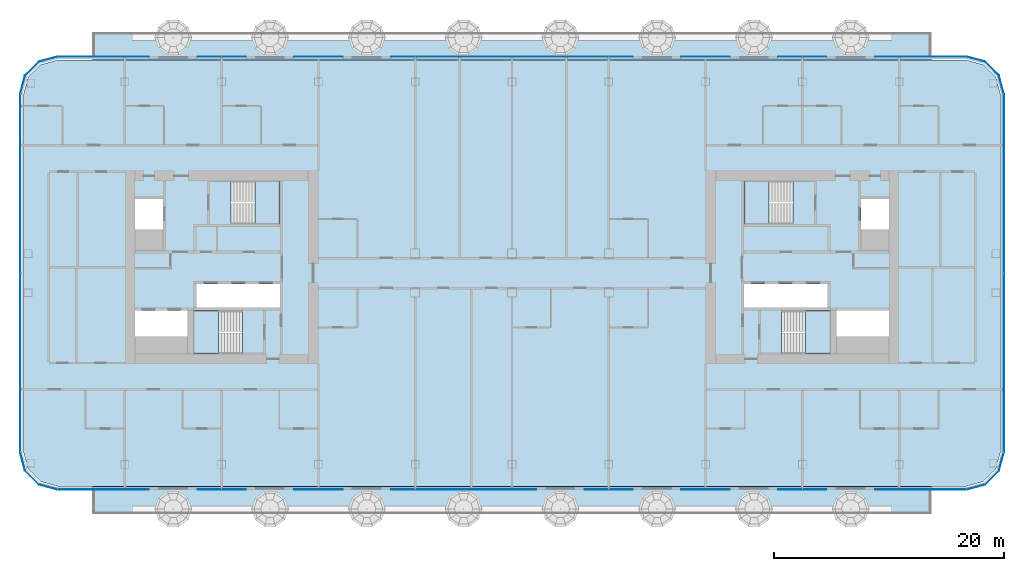
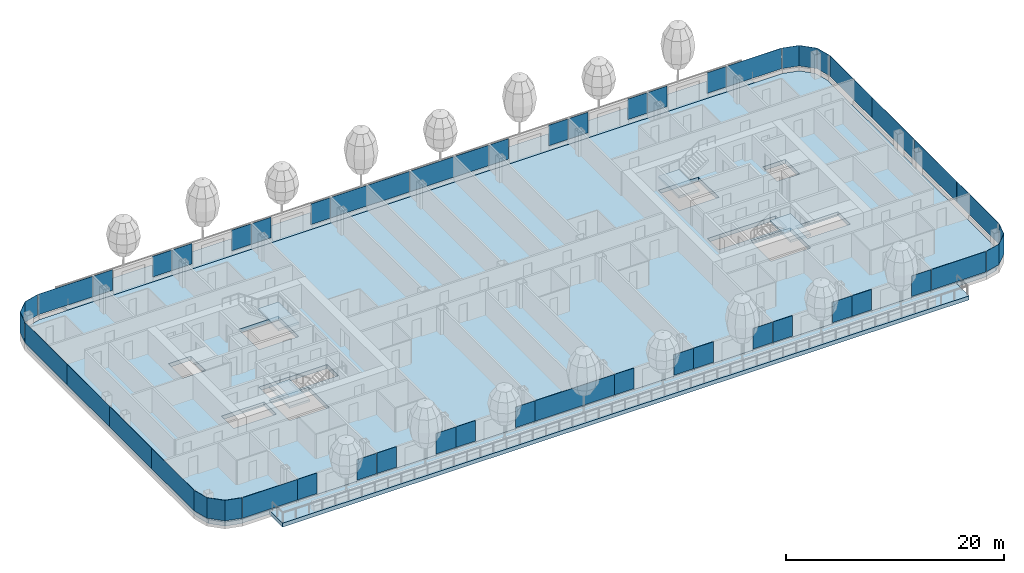
# One storey, part 9 of 29: 45 plates, 7 slabs, 12 elements without a shape of their own.
"""IFC4 building model written with IfcOpenShell, lengths in metres."""

from ifc_helpers import new_model, si_unit, direction, frame, origin, origin_2d, place, context, subcontext, project, spatial, polyline, rectangle, outline, extrude, material, layer, layer_set, type_object, element, aggregate, save


model = new_model("IFC4")

# Units and contexts
model_context = context("Model", 3, precision=1e-05, world=origin(), true_north=direction((0.0, 1.0)))
body_context = subcontext(model_context, "Body", "Model", "MODEL_VIEW")
ifc_project = project(units=[si_unit("LENGTHUNIT", "METRE"), si_unit("AREAUNIT", "SQUARE_METRE"), si_unit("VOLUMEUNIT", "CUBIC_METRE"), si_unit("PLANEANGLEUNIT", "RADIAN"), si_unit("MASSUNIT", "GRAM", prefix="KILO")], contexts=[model_context])

# Site, building, storey
site_placement = place(None, origin())
site = spatial("IfcSite", under=ifc_project, at=site_placement, CompositionType="ELEMENT")
building_placement = place(site_placement, origin())
building = spatial("IfcBuilding", under=site, at=building_placement, Name="Hakoniwa Tower and Hamabe Station Hall", CompositionType="ELEMENT")
storey_placement = place(building_placement, frame((0.0, 0.0, 163.0)))
storey = spatial("IfcBuildingStorey", under=building, at=storey_placement, Name="L46", CompositionType="ELEMENT", Elevation=163.0)

# Slabs
ifc_material_1 = material(Name="Concrete C42", Category="concrete")
ifc_layer_1 = layer(ifc_material_1, 0.25)
ifc_layer_set_1 = layer_set([ifc_layer_1], Name="BALCONY SLAB 250")
slab_type_1 = type_object("IfcSlabType", Name="BALCONY SLAB 250", PredefinedType="FLOOR", material=ifc_layer_set_1)
slab_1_placement = place(storey_placement, frame((0.0, 0.0, -0.449951171875)))
element("IfcSlab", 1, at=slab_1_placement, inside=storey, type_object=slab_type_1, Name="Balcony slab L46 BAL-L46-N", PredefinedType="FLOOR", context=body_context, shape_type="SweptSolid", body=[
    extrude(outline(polyline([(-36.39990234375, 18.0), (36.39990234375, 18.0), (36.39990234375, 20.39990234375), (-36.39990234375, 20.39990234375), (-36.39990234375, 18.0)])), origin(), (0.0, 0.0, 1.0), 0.449951171875),
])
slab_2_placement = place(storey_placement, frame((0.0, 0.0, -0.449951171875)))
element("IfcSlab", 2, at=slab_2_placement, inside=storey, type_object=slab_type_1, Name="Balcony slab L46 BAL-L46-S", PredefinedType="FLOOR", context=body_context, shape_type="SweptSolid", body=[
    extrude(outline(polyline([(-36.39990234375, -21.39990234375), (36.39990234375, -21.39990234375), (36.39990234375, -19.0), (-36.39990234375, -19.0), (-36.39990234375, -21.39990234375)])), origin(), (0.0, 0.0, 1.0), 0.449951171875),
])

# Stair, slab
ifc_material_2 = material(Name="Concrete C40", Category="concrete")
stair_type = type_object("IfcStairType", Name="ESCAPE STAIR 1800", PredefinedType="HALF_TURN_STAIR", material=ifc_material_2)
stair_1_placement = place(storey_placement, origin())
stair_1 = element("IfcStair", 3, at=stair_1_placement, inside=storey, type_object=stair_type, Name="Escape stair ST-1 L46", PredefinedType="HALF_TURN_STAIR")
ifc_material_3 = material(Name="Concrete C40", Category="concrete")
ifc_layer_2 = layer(ifc_material_3, 0.25)
ifc_layer_set_2 = layer_set([ifc_layer_2], Name="CORE STAIR LANDING 250")
slab_type_2 = type_object("IfcSlabType", Name="CORE STAIR LANDING 250", PredefinedType="LANDING", material=ifc_layer_set_2)
slab_3_placement = place(storey_placement, frame((0.0, 0.0, 1.35009765625)))
slab_3 = element("IfcSlab", 4, at=slab_3_placement, type_object=slab_type_2, Name="ST-1 landing 1", PredefinedType="LANDING", context=body_context, shape_type="SweptSolid", body=[
    extrude(outline(polyline([(-22.320068359375, 3.75), (-20.14990234375, 3.75), (-20.14990234375, 7.5), (-22.320068359375, 7.5), (-22.320068359375, 3.75)])), origin(), (0.0, 0.0, 1.0), 0.25),
])
aggregate(stair_1, [slab_3])

stair_2_placement = place(storey_placement, origin())
stair_2 = element("IfcStair", 5, at=stair_2_placement, inside=storey, type_object=stair_type, Name="Escape stair ST-2 L46", PredefinedType="HALF_TURN_STAIR")
slab_4_placement = place(storey_placement, frame((0.0, 0.0, 1.35009765625)))
slab_4 = element("IfcSlab", 6, at=slab_4_placement, type_object=slab_type_2, Name="ST-2 landing 1", PredefinedType="LANDING", context=body_context, shape_type="SweptSolid", body=[
    extrude(outline(polyline([(-25.47998046875, -7.5), (-27.64990234375, -7.5), (-27.64990234375, -3.75), (-25.47998046875, -3.75), (-25.47998046875, -7.5)])), origin(), (0.0, 0.0, 1.0), 0.25),
])
aggregate(stair_2, [slab_4])

stair_3_placement = place(storey_placement, origin())
stair_3 = element("IfcStair", 7, at=stair_3_placement, inside=storey, type_object=stair_type, Name="Escape stair ST-3 L46", PredefinedType="HALF_TURN_STAIR")
slab_5_placement = place(storey_placement, frame((0.0, 0.0, 1.35009765625)))
slab_5 = element("IfcSlab", 8, at=slab_5_placement, type_object=slab_type_2, Name="ST-3 landing 1", PredefinedType="LANDING", context=body_context, shape_type="SweptSolid", body=[
    extrude(outline(polyline([(22.320068359375, 3.75), (20.14990234375, 3.75), (20.14990234375, 7.5), (22.320068359375, 7.5), (22.320068359375, 3.75)])), origin(), (0.0, 0.0, 1.0), 0.25),
])
aggregate(stair_3, [slab_5])

stair_4_placement = place(storey_placement, origin())
stair_4 = element("IfcStair", 9, at=stair_4_placement, inside=storey, type_object=stair_type, Name="Escape stair ST-4 L46", PredefinedType="HALF_TURN_STAIR")
slab_6_placement = place(storey_placement, frame((0.0, 0.0, 1.35009765625)))
slab_6 = element("IfcSlab", 10, at=slab_6_placement, type_object=slab_type_2, Name="ST-4 landing 1", PredefinedType="LANDING", context=body_context, shape_type="SweptSolid", body=[
    extrude(outline(polyline([(25.47998046875, -7.5), (27.64990234375, -7.5), (27.64990234375, -3.75), (25.47998046875, -3.75), (25.47998046875, -7.5)])), origin(), (0.0, 0.0, 1.0), 0.25),
])
aggregate(stair_4, [slab_6])

# Curtain wall, plates
ifc_material_4 = material(Name="Dark low-e laminated glass", Category="glass")
ifc_layer_3 = layer(ifc_material_4, 0.199951171875)
ifc_layer_set_3 = layer_set([ifc_layer_3], Name="CW-1 UNITISED GUEST")
curtain_wall_type = type_object("IfcCurtainWallType", Name="CW-1 UNITISED GUEST", PredefinedType="NOTDEFINED", material=ifc_layer_set_3)
curtain_wall_1_placement = place(storey_placement, origin())
curtain_wall_1 = element("IfcCurtainWall", 11, at=curtain_wall_1_placement, inside=storey, type_object=curtain_wall_type, Name="CW-1 curtain wall", PredefinedType="NOTDEFINED")
ifc_material_5 = material(Name="Dark low-e laminated glass", Category="glass")
ifc_layer_4 = layer(ifc_material_5, 0.028076171875)
ifc_layer_set_4 = layer_set([ifc_layer_4], Name="CW-1 GLASS UNIT")
plate_type = type_object("IfcPlateType", Name="CW-1 GLASS UNIT", PredefinedType="CURTAIN_PANEL", material=ifc_layer_set_4)
plate_1_placement = place(storey_placement, frame((42.68603515625, -12.154541015625, 0.35009765625), z_axis=(0.0, 0.0, 1.0), x_axis=(0.0, 1.0, 0.0)))
plate_1 = element("IfcPlate", 12, at=plate_1_placement, type_object=plate_type, Name="CW-1 glass unit", PredefinedType="CURTAIN_PANEL", context=body_context, shape_type="SweptSolid", body=[
    extrude(rectangle(XDim=7.749755859375, YDim=0.028076171875, at=origin_2d()), origin(), (0.0, 0.0, 1.0), 2.300048828125),
])
plate_2_placement = place(storey_placement, frame((42.68603515625, -4.384765625, 0.35009765625), z_axis=(0.0, 0.0, 1.0), x_axis=(0.0, 1.0, 0.0)))
plate_2 = element("IfcPlate", 13, at=plate_2_placement, type_object=plate_type, Name="CW-1 glass unit", PredefinedType="CURTAIN_PANEL", context=body_context, shape_type="SweptSolid", body=[
    extrude(rectangle(XDim=7.749755859375, YDim=0.028076171875, at=origin_2d()), origin(), (0.0, 0.0, 1.0), 2.300048828125),
])
plate_3_placement = place(storey_placement, frame((42.68603515625, 3.384765625, 0.35009765625), z_axis=(0.0, 0.0, 1.0), x_axis=(0.0, 1.0, 0.0)))
plate_3 = element("IfcPlate", 14, at=plate_3_placement, type_object=plate_type, Name="CW-1 glass unit", PredefinedType="CURTAIN_PANEL", context=body_context, shape_type="SweptSolid", body=[
    extrude(rectangle(XDim=7.749755859375, YDim=0.028076171875, at=origin_2d()), origin(), (0.0, 0.0, 1.0), 2.300048828125),
])
plate_4_placement = place(storey_placement, frame((42.68603515625, 11.154541015625, 0.35009765625), z_axis=(0.0, 0.0, 1.0), x_axis=(0.0, 1.0, 0.0)))
plate_4 = element("IfcPlate", 15, at=plate_4_placement, type_object=plate_type, Name="CW-1 glass unit", PredefinedType="CURTAIN_PANEL", context=body_context, shape_type="SweptSolid", body=[
    extrude(rectangle(XDim=7.749755859375, YDim=0.028076171875, at=origin_2d()), origin(), (0.0, 0.0, 1.0), 2.300048828125),
])
aggregate(curtain_wall_1, [plate_1, plate_2, plate_3, plate_4])

# Curtain wall, plate
curtain_wall_2_placement = place(storey_placement, origin())
curtain_wall_2 = element("IfcCurtainWall", 16, at=curtain_wall_2_placement, inside=storey, type_object=curtain_wall_type, Name="CW-1 curtain wall", PredefinedType="NOTDEFINED")
plate_5_placement = place(storey_placement, frame((0.0, 0.0, 0.35009765625)))
plate_5 = element("IfcPlate", 17, at=plate_5_placement, type_object=plate_type, Name="CW-1 curved corner unit", PredefinedType="CURTAIN_PANEL", context=body_context, shape_type="SweptSolid", body=[
    extrude(outline(polyline([(42.689697265625, 15.078125), (42.26708984375, 16.6552734375), (41.05517578125, 17.866943359375), (39.47802734375, 18.28955078125), (39.470947265625, 18.2626953125), (41.040771484375, 17.842041015625), (42.241943359375, 16.640869140625), (42.66259765625, 15.07080078125), (42.689697265625, 15.078125)])), origin(), (0.0, 0.0, 1.0), 2.2998046875),
])
aggregate(curtain_wall_2, [plate_5])

# Curtain wall, plates
curtain_wall_3_placement = place(storey_placement, origin())
curtain_wall_3 = element("IfcCurtainWall", 18, at=curtain_wall_3_placement, inside=storey, type_object=curtain_wall_type, Name="CW-1 curtain wall", PredefinedType="NOTDEFINED")
plate_6_placement = place(storey_placement, frame((36.519775390625, 18.285888671875, 0.35009765625), z_axis=(0.0, 0.0, 1.0), x_axis=(-1.0, 0.0, 0.0)))
plate_6 = element("IfcPlate", 19, at=plate_6_placement, type_object=plate_type, Name="CW-1 glass unit", PredefinedType="CURTAIN_PANEL", context=body_context, shape_type="SweptSolid", body=[
    extrude(rectangle(XDim=5.819580078125, YDim=0.028076171875, at=origin_2d()), origin(), (0.0, 0.0, 1.0), 2.300048828125),
])
plate_7_placement = place(storey_placement, frame((32.550048828125, 18.285888671875, 0.35009765625), z_axis=(0.0, 0.0, 1.0), x_axis=(-1.0, 0.0, 0.0)))
plate_7 = element("IfcPlate", 20, at=plate_7_placement, type_object=plate_type, Name="CW-1 glass unit", PredefinedType="CURTAIN_PANEL", context=body_context, shape_type="SweptSolid", body=[
    extrude(rectangle(XDim=2.080078125, YDim=0.028076171875, at=origin_2d()), origin(), (0.0, 0.0, 1.0), 2.300048828125),
])
plate_8_placement = place(storey_placement, frame((26.25, 18.285888671875, 0.35009765625), z_axis=(0.0, 0.0, 1.0), x_axis=(-1.0, 0.0, 0.0)))
plate_8 = element("IfcPlate", 21, at=plate_8_placement, type_object=plate_type, Name="CW-1 glass unit", PredefinedType="CURTAIN_PANEL", context=body_context, shape_type="SweptSolid", body=[
    extrude(rectangle(XDim=2.080078125, YDim=0.028076171875, at=origin_2d()), origin(), (0.0, 0.0, 1.0), 2.300048828125),
])
plate_9_placement = place(storey_placement, frame((24.14990234375, 18.285888671875, 0.35009765625), z_axis=(0.0, 0.0, 1.0), x_axis=(-1.0, 0.0, 0.0)))
plate_9 = element("IfcPlate", 22, at=plate_9_placement, type_object=plate_type, Name="CW-1 glass unit", PredefinedType="CURTAIN_PANEL", context=body_context, shape_type="SweptSolid", body=[
    extrude(rectangle(XDim=2.080078125, YDim=0.028076171875, at=origin_2d()), origin(), (0.0, 0.0, 1.0), 2.300048828125),
])
plate_10_placement = place(storey_placement, frame((17.85009765625, 18.285888671875, 0.35009765625), z_axis=(0.0, 0.0, 1.0), x_axis=(-1.0, 0.0, 0.0)))
plate_10 = element("IfcPlate", 23, at=plate_10_placement, type_object=plate_type, Name="CW-1 glass unit", PredefinedType="CURTAIN_PANEL", context=body_context, shape_type="SweptSolid", body=[
    extrude(rectangle(XDim=2.080078125, YDim=0.028076171875, at=origin_2d()), origin(), (0.0, 0.0, 1.0), 2.300048828125),
])
plate_11_placement = place(storey_placement, frame((15.75, 18.285888671875, 0.35009765625), z_axis=(0.0, 0.0, 1.0), x_axis=(-1.0, 0.0, 0.0)))
plate_11 = element("IfcPlate", 24, at=plate_11_placement, type_object=plate_type, Name="CW-1 glass unit", PredefinedType="CURTAIN_PANEL", context=body_context, shape_type="SweptSolid", body=[
    extrude(rectangle(XDim=2.080078125, YDim=0.028076171875, at=origin_2d()), origin(), (0.0, 0.0, 1.0), 2.300048828125),
])
plate_12_placement = place(storey_placement, frame((9.449951171875, 18.285888671875, 0.35009765625), z_axis=(0.0, 0.0, 1.0), x_axis=(-1.0, 0.0, 0.0)))
plate_12 = element("IfcPlate", 25, at=plate_12_placement, type_object=plate_type, Name="CW-1 glass unit", PredefinedType="CURTAIN_PANEL", context=body_context, shape_type="SweptSolid", body=[
    extrude(rectangle(XDim=2.080078125, YDim=0.028076171875, at=origin_2d()), origin(), (0.0, 0.0, 1.0), 2.300048828125),
])
plate_13_placement = place(storey_placement, frame((4.199951171875, 18.285888671875, 0.35009765625), z_axis=(0.0, 0.0, 1.0), x_axis=(-1.0, 0.0, 0.0)))
plate_13 = element("IfcPlate", 26, at=plate_13_placement, type_object=plate_type, Name="CW-1 glass unit", PredefinedType="CURTAIN_PANEL", context=body_context, shape_type="SweptSolid", body=[
    extrude(rectangle(XDim=8.3798828125, YDim=0.028076171875, at=origin_2d()), origin(), (0.0, 0.0, 1.0), 2.300048828125),
])
plate_14_placement = place(storey_placement, frame((-4.199951171875, 18.285888671875, 0.35009765625), z_axis=(0.0, 0.0, 1.0), x_axis=(-1.0, 0.0, 0.0)))
plate_14 = element("IfcPlate", 27, at=plate_14_placement, type_object=plate_type, Name="CW-1 glass unit", PredefinedType="CURTAIN_PANEL", context=body_context, shape_type="SweptSolid", body=[
    extrude(rectangle(XDim=8.3798828125, YDim=0.028076171875, at=origin_2d()), origin(), (0.0, 0.0, 1.0), 2.300048828125),
])
plate_15_placement = place(storey_placement, frame((-9.449951171875, 18.285888671875, 0.35009765625), z_axis=(0.0, 0.0, 1.0), x_axis=(-1.0, 0.0, 0.0)))
plate_15 = element("IfcPlate", 28, at=plate_15_placement, type_object=plate_type, Name="CW-1 glass unit", PredefinedType="CURTAIN_PANEL", context=body_context, shape_type="SweptSolid", body=[
    extrude(rectangle(XDim=2.080078125, YDim=0.028076171875, at=origin_2d()), origin(), (0.0, 0.0, 1.0), 2.300048828125),
])
plate_16_placement = place(storey_placement, frame((-15.75, 18.285888671875, 0.35009765625), z_axis=(0.0, 0.0, 1.0), x_axis=(-1.0, 0.0, 0.0)))
plate_16 = element("IfcPlate", 29, at=plate_16_placement, type_object=plate_type, Name="CW-1 glass unit", PredefinedType="CURTAIN_PANEL", context=body_context, shape_type="SweptSolid", body=[
    extrude(rectangle(XDim=2.080078125, YDim=0.028076171875, at=origin_2d()), origin(), (0.0, 0.0, 1.0), 2.300048828125),
])
plate_17_placement = place(storey_placement, frame((-17.85009765625, 18.285888671875, 0.35009765625), z_axis=(0.0, 0.0, 1.0), x_axis=(-1.0, 0.0, 0.0)))
plate_17 = element("IfcPlate", 30, at=plate_17_placement, type_object=plate_type, Name="CW-1 glass unit", PredefinedType="CURTAIN_PANEL", context=body_context, shape_type="SweptSolid", body=[
    extrude(rectangle(XDim=2.080078125, YDim=0.028076171875, at=origin_2d()), origin(), (0.0, 0.0, 1.0), 2.300048828125),
])
plate_18_placement = place(storey_placement, frame((-24.14990234375, 18.285888671875, 0.35009765625), z_axis=(0.0, 0.0, 1.0), x_axis=(-1.0, 0.0, 0.0)))
plate_18 = element("IfcPlate", 31, at=plate_18_placement, type_object=plate_type, Name="CW-1 glass unit", PredefinedType="CURTAIN_PANEL", context=body_context, shape_type="SweptSolid", body=[
    extrude(rectangle(XDim=2.080078125, YDim=0.028076171875, at=origin_2d()), origin(), (0.0, 0.0, 1.0), 2.300048828125),
])
plate_19_placement = place(storey_placement, frame((-26.25, 18.285888671875, 0.35009765625), z_axis=(0.0, 0.0, 1.0), x_axis=(-1.0, 0.0, 0.0)))
plate_19 = element("IfcPlate", 32, at=plate_19_placement, type_object=plate_type, Name="CW-1 glass unit", PredefinedType="CURTAIN_PANEL", context=body_context, shape_type="SweptSolid", body=[
    extrude(rectangle(XDim=2.080078125, YDim=0.028076171875, at=origin_2d()), origin(), (0.0, 0.0, 1.0), 2.300048828125),
])
plate_20_placement = place(storey_placement, frame((-32.550048828125, 18.285888671875, 0.35009765625), z_axis=(0.0, 0.0, 1.0), x_axis=(-1.0, 0.0, 0.0)))
plate_20 = element("IfcPlate", 33, at=plate_20_placement, type_object=plate_type, Name="CW-1 glass unit", PredefinedType="CURTAIN_PANEL", context=body_context, shape_type="SweptSolid", body=[
    extrude(rectangle(XDim=2.080078125, YDim=0.028076171875, at=origin_2d()), origin(), (0.0, 0.0, 1.0), 2.300048828125),
])
plate_21_placement = place(storey_placement, frame((-36.519775390625, 18.285888671875, 0.35009765625), z_axis=(0.0, 0.0, 1.0), x_axis=(-1.0, 0.0, 0.0)))
plate_21 = element("IfcPlate", 34, at=plate_21_placement, type_object=plate_type, Name="CW-1 glass unit", PredefinedType="CURTAIN_PANEL", context=body_context, shape_type="SweptSolid", body=[
    extrude(rectangle(XDim=5.819580078125, YDim=0.028076171875, at=origin_2d()), origin(), (0.0, 0.0, 1.0), 2.300048828125),
])
aggregate(curtain_wall_3, [plate_6, plate_7, plate_8, plate_9, plate_10, plate_11, plate_12, plate_13, plate_14, plate_15, plate_16, plate_17, plate_18, plate_19, plate_20, plate_21])

# Curtain wall, plate
curtain_wall_4_placement = place(storey_placement, origin())
curtain_wall_4 = element("IfcCurtainWall", 35, at=curtain_wall_4_placement, inside=storey, type_object=curtain_wall_type, Name="CW-1 curtain wall", PredefinedType="NOTDEFINED")
plate_22_placement = place(storey_placement, frame((0.0, 0.0, 0.35009765625)))
plate_22 = element("IfcPlate", 36, at=plate_22_placement, type_object=plate_type, Name="CW-1 curved corner unit", PredefinedType="CURTAIN_PANEL", context=body_context, shape_type="SweptSolid", body=[
    extrude(outline(polyline([(-39.47802734375, 18.28955078125), (-41.05517578125, 17.866943359375), (-42.26708984375, 16.6552734375), (-42.689697265625, 15.078125), (-42.66259765625, 15.07080078125), (-42.241943359375, 16.640869140625), (-41.040771484375, 17.842041015625), (-39.470947265625, 18.2626953125), (-39.47802734375, 18.28955078125)])), origin(), (0.0, 0.0, 1.0), 2.2998046875),
])
aggregate(curtain_wall_4, [plate_22])

# Curtain wall, plates
curtain_wall_5_placement = place(storey_placement, origin())
curtain_wall_5 = element("IfcCurtainWall", 37, at=curtain_wall_5_placement, inside=storey, type_object=curtain_wall_type, Name="CW-1 curtain wall", PredefinedType="NOTDEFINED")
plate_23_placement = place(storey_placement, frame((-42.68603515625, 11.154541015625, 0.35009765625), z_axis=(0.0, 0.0, 1.0), x_axis=(0.0, -1.0, 0.0)))
plate_23 = element("IfcPlate", 38, at=plate_23_placement, type_object=plate_type, Name="CW-1 glass unit", PredefinedType="CURTAIN_PANEL", context=body_context, shape_type="SweptSolid", body=[
    extrude(rectangle(XDim=7.749755859375, YDim=0.028076171875, at=origin_2d()), origin(), (0.0, 0.0, 1.0), 2.300048828125),
])
plate_24_placement = place(storey_placement, frame((-42.68603515625, 3.384765625, 0.35009765625), z_axis=(0.0, 0.0, 1.0), x_axis=(0.0, -1.0, 0.0)))
plate_24 = element("IfcPlate", 39, at=plate_24_placement, type_object=plate_type, Name="CW-1 glass unit", PredefinedType="CURTAIN_PANEL", context=body_context, shape_type="SweptSolid", body=[
    extrude(rectangle(XDim=7.749755859375, YDim=0.028076171875, at=origin_2d()), origin(), (0.0, 0.0, 1.0), 2.300048828125),
])
plate_25_placement = place(storey_placement, frame((-42.68603515625, -4.384765625, 0.35009765625), z_axis=(0.0, 0.0, 1.0), x_axis=(0.0, -1.0, 0.0)))
plate_25 = element("IfcPlate", 40, at=plate_25_placement, type_object=plate_type, Name="CW-1 glass unit", PredefinedType="CURTAIN_PANEL", context=body_context, shape_type="SweptSolid", body=[
    extrude(rectangle(XDim=7.749755859375, YDim=0.028076171875, at=origin_2d()), origin(), (0.0, 0.0, 1.0), 2.300048828125),
])
plate_26_placement = place(storey_placement, frame((-42.68603515625, -12.154541015625, 0.35009765625), z_axis=(0.0, 0.0, 1.0), x_axis=(0.0, -1.0, 0.0)))
plate_26 = element("IfcPlate", 41, at=plate_26_placement, type_object=plate_type, Name="CW-1 glass unit", PredefinedType="CURTAIN_PANEL", context=body_context, shape_type="SweptSolid", body=[
    extrude(rectangle(XDim=7.749755859375, YDim=0.028076171875, at=origin_2d()), origin(), (0.0, 0.0, 1.0), 2.300048828125),
])
aggregate(curtain_wall_5, [plate_23, plate_24, plate_25, plate_26])

# Curtain wall, plate
curtain_wall_6_placement = place(storey_placement, origin())
curtain_wall_6 = element("IfcCurtainWall", 42, at=curtain_wall_6_placement, inside=storey, type_object=curtain_wall_type, Name="CW-1 curtain wall", PredefinedType="NOTDEFINED")
plate_27_placement = place(storey_placement, frame((0.0, 0.0, 0.35009765625)))
plate_27 = element("IfcPlate", 43, at=plate_27_placement, type_object=plate_type, Name="CW-1 curved corner unit", PredefinedType="CURTAIN_PANEL", context=body_context, shape_type="SweptSolid", body=[
    extrude(outline(polyline([(-42.689697265625, -16.078125), (-42.26708984375, -17.6552734375), (-41.05517578125, -18.866943359375), (-39.47802734375, -19.28955078125), (-39.470947265625, -19.2626953125), (-41.040771484375, -18.842041015625), (-42.241943359375, -17.640869140625), (-42.66259765625, -16.07080078125), (-42.689697265625, -16.078125)])), origin(), (0.0, 0.0, 1.0), 2.2998046875),
])
aggregate(curtain_wall_6, [plate_27])

# Curtain wall, plates
curtain_wall_7_placement = place(storey_placement, origin())
curtain_wall_7 = element("IfcCurtainWall", 44, at=curtain_wall_7_placement, inside=storey, type_object=curtain_wall_type, Name="CW-1 curtain wall", PredefinedType="NOTDEFINED")
plate_28_placement = place(storey_placement, frame((-36.519775390625, -19.285888671875, 0.35009765625), z_axis=(0.0, 0.0, 1.0), x_axis=(1.0, 0.0, 0.0)))
plate_28 = element("IfcPlate", 45, at=plate_28_placement, type_object=plate_type, Name="CW-1 glass unit", PredefinedType="CURTAIN_PANEL", context=body_context, shape_type="SweptSolid", body=[
    extrude(rectangle(XDim=5.819580078125, YDim=0.028076171875, at=origin_2d()), origin(), (0.0, 0.0, 1.0), 2.300048828125),
])
plate_29_placement = place(storey_placement, frame((-32.550048828125, -19.285888671875, 0.35009765625), z_axis=(0.0, 0.0, 1.0), x_axis=(1.0, 0.0, 0.0)))
plate_29 = element("IfcPlate", 46, at=plate_29_placement, type_object=plate_type, Name="CW-1 glass unit", PredefinedType="CURTAIN_PANEL", context=body_context, shape_type="SweptSolid", body=[
    extrude(rectangle(XDim=2.080078125, YDim=0.028076171875, at=origin_2d()), origin(), (0.0, 0.0, 1.0), 2.300048828125),
])
plate_30_placement = place(storey_placement, frame((-26.25, -19.285888671875, 0.35009765625), z_axis=(0.0, 0.0, 1.0), x_axis=(1.0, 0.0, 0.0)))
plate_30 = element("IfcPlate", 47, at=plate_30_placement, type_object=plate_type, Name="CW-1 glass unit", PredefinedType="CURTAIN_PANEL", context=body_context, shape_type="SweptSolid", body=[
    extrude(rectangle(XDim=2.080078125, YDim=0.028076171875, at=origin_2d()), origin(), (0.0, 0.0, 1.0), 2.300048828125),
])
plate_31_placement = place(storey_placement, frame((-24.14990234375, -19.285888671875, 0.35009765625), z_axis=(0.0, 0.0, 1.0), x_axis=(1.0, 0.0, 0.0)))
plate_31 = element("IfcPlate", 48, at=plate_31_placement, type_object=plate_type, Name="CW-1 glass unit", PredefinedType="CURTAIN_PANEL", context=body_context, shape_type="SweptSolid", body=[
    extrude(rectangle(XDim=2.080078125, YDim=0.028076171875, at=origin_2d()), origin(), (0.0, 0.0, 1.0), 2.300048828125),
])
plate_32_placement = place(storey_placement, frame((-17.85009765625, -19.285888671875, 0.35009765625), z_axis=(0.0, 0.0, 1.0), x_axis=(1.0, 0.0, 0.0)))
plate_32 = element("IfcPlate", 49, at=plate_32_placement, type_object=plate_type, Name="CW-1 glass unit", PredefinedType="CURTAIN_PANEL", context=body_context, shape_type="SweptSolid", body=[
    extrude(rectangle(XDim=2.080078125, YDim=0.028076171875, at=origin_2d()), origin(), (0.0, 0.0, 1.0), 2.300048828125),
])
plate_33_placement = place(storey_placement, frame((-15.75, -19.285888671875, 0.35009765625), z_axis=(0.0, 0.0, 1.0), x_axis=(1.0, 0.0, 0.0)))
plate_33 = element("IfcPlate", 50, at=plate_33_placement, type_object=plate_type, Name="CW-1 glass unit", PredefinedType="CURTAIN_PANEL", context=body_context, shape_type="SweptSolid", body=[
    extrude(rectangle(XDim=2.080078125, YDim=0.028076171875, at=origin_2d()), origin(), (0.0, 0.0, 1.0), 2.300048828125),
])
plate_34_placement = place(storey_placement, frame((-9.449951171875, -19.285888671875, 0.35009765625), z_axis=(0.0, 0.0, 1.0), x_axis=(1.0, 0.0, 0.0)))
plate_34 = element("IfcPlate", 51, at=plate_34_placement, type_object=plate_type, Name="CW-1 glass unit", PredefinedType="CURTAIN_PANEL", context=body_context, shape_type="SweptSolid", body=[
    extrude(rectangle(XDim=2.080078125, YDim=0.028076171875, at=origin_2d()), origin(), (0.0, 0.0, 1.0), 2.300048828125),
])
plate_35_placement = place(storey_placement, frame((-4.199951171875, -19.285888671875, 0.35009765625), z_axis=(0.0, 0.0, 1.0), x_axis=(1.0, 0.0, 0.0)))
plate_35 = element("IfcPlate", 52, at=plate_35_placement, type_object=plate_type, Name="CW-1 glass unit", PredefinedType="CURTAIN_PANEL", context=body_context, shape_type="SweptSolid", body=[
    extrude(rectangle(XDim=8.3798828125, YDim=0.028076171875, at=origin_2d()), origin(), (0.0, 0.0, 1.0), 2.300048828125),
])
plate_36_placement = place(storey_placement, frame((1.050048828125, -19.285888671875, 0.35009765625), z_axis=(0.0, 0.0, 1.0), x_axis=(1.0, 0.0, 0.0)))
plate_36 = element("IfcPlate", 53, at=plate_36_placement, type_object=plate_type, Name="CW-1 glass unit", PredefinedType="CURTAIN_PANEL", context=body_context, shape_type="SweptSolid", body=[
    extrude(rectangle(XDim=2.080078125, YDim=0.028076171875, at=origin_2d()), origin(), (0.0, 0.0, 1.0), 2.300048828125),
])
plate_37_placement = place(storey_placement, frame((7.35009765625, -19.285888671875, 0.35009765625), z_axis=(0.0, 0.0, 1.0), x_axis=(1.0, 0.0, 0.0)))
plate_37 = element("IfcPlate", 54, at=plate_37_placement, type_object=plate_type, Name="CW-1 glass unit", PredefinedType="CURTAIN_PANEL", context=body_context, shape_type="SweptSolid", body=[
    extrude(rectangle(XDim=2.080078125, YDim=0.028076171875, at=origin_2d()), origin(), (0.0, 0.0, 1.0), 2.300048828125),
])
plate_38_placement = place(storey_placement, frame((9.449951171875, -19.285888671875, 0.35009765625), z_axis=(0.0, 0.0, 1.0), x_axis=(1.0, 0.0, 0.0)))
plate_38 = element("IfcPlate", 55, at=plate_38_placement, type_object=plate_type, Name="CW-1 glass unit", PredefinedType="CURTAIN_PANEL", context=body_context, shape_type="SweptSolid", body=[
    extrude(rectangle(XDim=2.080078125, YDim=0.028076171875, at=origin_2d()), origin(), (0.0, 0.0, 1.0), 2.300048828125),
])
plate_39_placement = place(storey_placement, frame((15.75, -19.285888671875, 0.35009765625), z_axis=(0.0, 0.0, 1.0), x_axis=(1.0, 0.0, 0.0)))
plate_39 = element("IfcPlate", 56, at=plate_39_placement, type_object=plate_type, Name="CW-1 glass unit", PredefinedType="CURTAIN_PANEL", context=body_context, shape_type="SweptSolid", body=[
    extrude(rectangle(XDim=2.080078125, YDim=0.028076171875, at=origin_2d()), origin(), (0.0, 0.0, 1.0), 2.300048828125),
])
plate_40_placement = place(storey_placement, frame((17.85009765625, -19.285888671875, 0.35009765625), z_axis=(0.0, 0.0, 1.0), x_axis=(1.0, 0.0, 0.0)))
plate_40 = element("IfcPlate", 57, at=plate_40_placement, type_object=plate_type, Name="CW-1 glass unit", PredefinedType="CURTAIN_PANEL", context=body_context, shape_type="SweptSolid", body=[
    extrude(rectangle(XDim=2.080078125, YDim=0.028076171875, at=origin_2d()), origin(), (0.0, 0.0, 1.0), 2.300048828125),
])
plate_41_placement = place(storey_placement, frame((24.14990234375, -19.285888671875, 0.35009765625), z_axis=(0.0, 0.0, 1.0), x_axis=(1.0, 0.0, 0.0)))
plate_41 = element("IfcPlate", 58, at=plate_41_placement, type_object=plate_type, Name="CW-1 glass unit", PredefinedType="CURTAIN_PANEL", context=body_context, shape_type="SweptSolid", body=[
    extrude(rectangle(XDim=2.080078125, YDim=0.028076171875, at=origin_2d()), origin(), (0.0, 0.0, 1.0), 2.300048828125),
])
plate_42_placement = place(storey_placement, frame((26.25, -19.285888671875, 0.35009765625), z_axis=(0.0, 0.0, 1.0), x_axis=(1.0, 0.0, 0.0)))
plate_42 = element("IfcPlate", 59, at=plate_42_placement, type_object=plate_type, Name="CW-1 glass unit", PredefinedType="CURTAIN_PANEL", context=body_context, shape_type="SweptSolid", body=[
    extrude(rectangle(XDim=2.080078125, YDim=0.028076171875, at=origin_2d()), origin(), (0.0, 0.0, 1.0), 2.300048828125),
])
plate_43_placement = place(storey_placement, frame((32.550048828125, -19.285888671875, 0.35009765625), z_axis=(0.0, 0.0, 1.0), x_axis=(1.0, 0.0, 0.0)))
plate_43 = element("IfcPlate", 60, at=plate_43_placement, type_object=plate_type, Name="CW-1 glass unit", PredefinedType="CURTAIN_PANEL", context=body_context, shape_type="SweptSolid", body=[
    extrude(rectangle(XDim=2.080078125, YDim=0.028076171875, at=origin_2d()), origin(), (0.0, 0.0, 1.0), 2.300048828125),
])
plate_44_placement = place(storey_placement, frame((36.519775390625, -19.285888671875, 0.35009765625), z_axis=(0.0, 0.0, 1.0), x_axis=(1.0, 0.0, 0.0)))
plate_44 = element("IfcPlate", 61, at=plate_44_placement, type_object=plate_type, Name="CW-1 glass unit", PredefinedType="CURTAIN_PANEL", context=body_context, shape_type="SweptSolid", body=[
    extrude(rectangle(XDim=5.819580078125, YDim=0.028076171875, at=origin_2d()), origin(), (0.0, 0.0, 1.0), 2.300048828125),
])
aggregate(curtain_wall_7, [plate_28, plate_29, plate_30, plate_31, plate_32, plate_33, plate_34, plate_35, plate_36, plate_37, plate_38, plate_39, plate_40, plate_41, plate_42, plate_43, plate_44])

# Curtain wall, plate
curtain_wall_8_placement = place(storey_placement, origin())
curtain_wall_8 = element("IfcCurtainWall", 62, at=curtain_wall_8_placement, inside=storey, type_object=curtain_wall_type, Name="CW-1 curtain wall", PredefinedType="NOTDEFINED")
plate_45_placement = place(storey_placement, frame((0.0, 0.0, 0.35009765625)))
plate_45 = element("IfcPlate", 63, at=plate_45_placement, type_object=plate_type, Name="CW-1 curved corner unit", PredefinedType="CURTAIN_PANEL", context=body_context, shape_type="SweptSolid", body=[
    extrude(outline(polyline([(39.47802734375, -19.28955078125), (41.05517578125, -18.866943359375), (42.26708984375, -17.6552734375), (42.689697265625, -16.078125), (42.66259765625, -16.07080078125), (42.241943359375, -17.640869140625), (41.040771484375, -18.842041015625), (39.470947265625, -19.2626953125), (39.47802734375, -19.28955078125)])), origin(), (0.0, 0.0, 1.0), 2.2998046875),
])
aggregate(curtain_wall_8, [plate_45])

# Slab
ifc_material_6 = material(Name="Concrete C42", Category="concrete")
ifc_layer_5 = layer(ifc_material_6, 0.449951171875)
ifc_layer_set_5 = layer_set([ifc_layer_5], Name="PT FLAT PLATE 450")
slab_type_3 = type_object("IfcSlabType", Name="PT FLAT PLATE 450", PredefinedType="FLOOR", material=ifc_layer_set_5)
slab_7_placement = place(storey_placement, frame((0.0, 0.0, -0.449951171875)))
element("IfcSlab", 64, at=slab_7_placement, inside=storey, type_object=slab_type_3, Name="Floor slab L46", PredefinedType="FLOOR", context=body_context, shape_type="SweptSolid", body=[
    extrude(outline(polyline([(42.39990234375, -16.0), (42.39990234375, 15.0), (41.998046875, 16.5), (40.89990234375, 17.59814453125), (39.39990234375, 18.0), (-39.39990234375, 18.0), (-40.89990234375, 17.59814453125), (-41.998046875, 16.5), (-42.39990234375, 15.0), (-42.39990234375, -16.0), (-41.998046875, -17.5), (-40.89990234375, -18.59814453125), (-39.39990234375, -19.0), (39.39990234375, -19.0), (40.89990234375, -18.59814453125), (41.998046875, -17.5), (42.39990234375, -16.0)]), holes=[polyline([(-27.39990234375, -3.5), (-27.39990234375, -1.449951171875), (-20.14990234375, -1.449951171875), (-20.14990234375, -3.5), (-27.39990234375, -3.5)]), polyline([(-32.699951171875, 3.300048828125), (-32.699951171875, 5.949951171875), (-30.300048828125, 5.949951171875), (-30.300048828125, 3.300048828125), (-32.699951171875, 3.300048828125)]), polyline([(-32.699951171875, -6.0), (-32.699951171875, -3.75), (-28.14990234375, -3.75), (-28.14990234375, -6.0), (-32.699951171875, -6.0)]), polyline([(-24.389892578125, 3.75), (-24.389892578125, 7.5), (-20.14990234375, 7.5), (-20.14990234375, 3.75), (-24.389892578125, 3.75)]), polyline([(-27.64990234375, -7.5), (-27.64990234375, -3.75), (-23.409912109375, -3.75), (-23.409912109375, -7.5), (-27.64990234375, -7.5)]), polyline([(20.14990234375, -3.5), (20.14990234375, -1.449951171875), (27.39990234375, -1.449951171875), (27.39990234375, -3.5), (20.14990234375, -3.5)]), polyline([(30.300048828125, 3.300048828125), (30.300048828125, 5.949951171875), (32.699951171875, 5.949951171875), (32.699951171875, 3.300048828125), (30.300048828125, 3.300048828125)]), polyline([(28.14990234375, -6.0), (28.14990234375, -3.75), (32.699951171875, -3.75), (32.699951171875, -6.0), (28.14990234375, -6.0)]), polyline([(20.14990234375, 3.75), (20.14990234375, 7.5), (24.389892578125, 7.5), (24.389892578125, 3.75), (20.14990234375, 3.75)]), polyline([(23.409912109375, -7.5), (23.409912109375, -3.75), (27.64990234375, -3.75), (27.64990234375, -7.5), (23.409912109375, -7.5)])]), origin(), (0.0, 0.0, 1.0), 0.449951171875),
])

save(model, "model.ifc")
